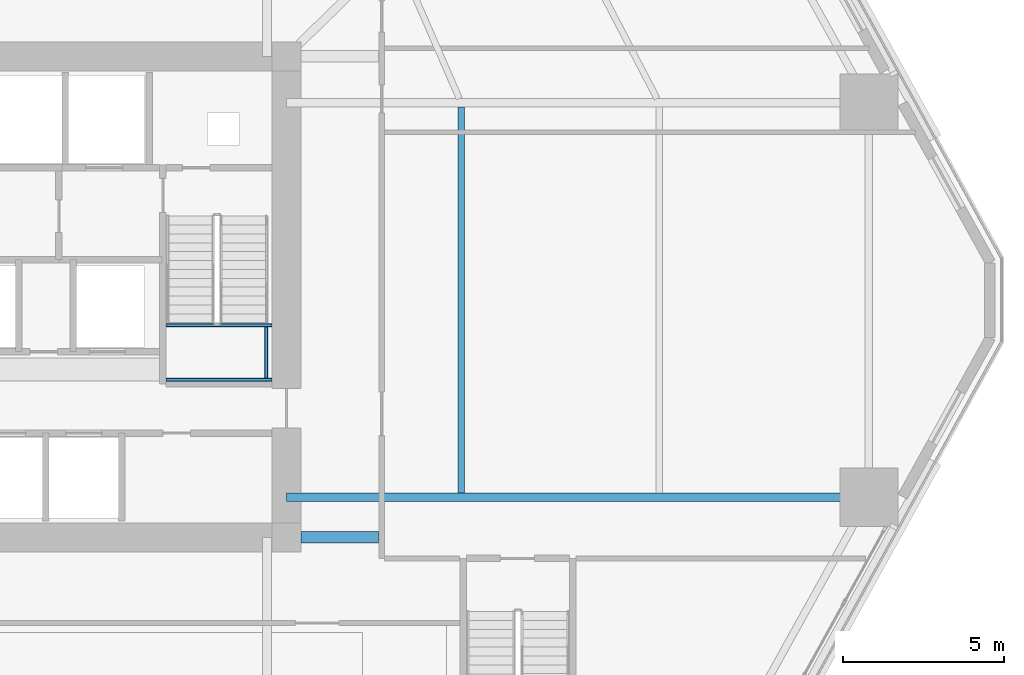
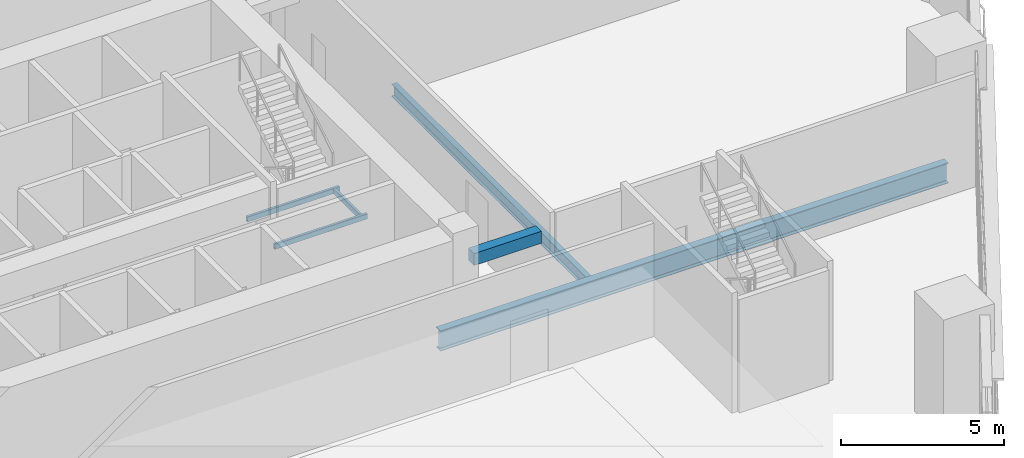
# One storey, part 3 of 21: 6 beams.
"""IFC4 building model written with IfcOpenShell, lengths in metres."""

from ifc_helpers import new_model, si_unit, direction, frame, origin, origin_2d, place, context, subcontext, project, spatial, rectangle, hollow_rectangle, i_section, extrude, material, material_profile, profile_set, type_object, element, save


model = new_model("IFC4")

# Units and contexts
model_context = context("Model", 3, precision=1e-05, world=origin(), true_north=direction((0.0, 1.0)))
body_context = subcontext(model_context, "Body", "Model", "MODEL_VIEW")
ifc_project = project(units=[si_unit("LENGTHUNIT", "METRE"), si_unit("AREAUNIT", "SQUARE_METRE"), si_unit("VOLUMEUNIT", "CUBIC_METRE"), si_unit("PLANEANGLEUNIT", "RADIAN"), si_unit("MASSUNIT", "GRAM", prefix="KILO")], contexts=[model_context])

# Site, building, storey
site_placement = place(None, origin())
site = spatial("IfcSite", under=ifc_project, at=site_placement, CompositionType="ELEMENT")
building_placement = place(site_placement, origin())
building = spatial("IfcBuilding", under=site, at=building_placement, Name="Cinnabar Lancet Tower", CompositionType="ELEMENT")
storey_placement = place(building_placement, frame((0.0, 0.0, 6.0)))
storey = spatial("IfcBuildingStorey", under=building, at=storey_placement, Name="L01", CompositionType="ELEMENT", Elevation=6.0)

# Beams
ifc_material_1 = material(Name="Structural steel S355", Category="steel")
ifc_material_profile_1 = material_profile(ifc_material_1, i_section(OverallWidth=0.1904296875, OverallDepth=0.45703125, WebThickness=0.009033203125, FlangeThickness=0.014404296875, FilletRadius=0.01025390625, at=origin_2d()), Name="UKB 457x191x74")
ifc_profile_set_1 = profile_set([ifc_material_profile_1], Name="Structural steel S355")
beam_type_1 = type_object("IfcBeamType", Name="STR-BM-JST-457", PredefinedType="JOIST", material=ifc_profile_set_1)
beam_1_placement = place(storey_placement, frame((47.261962890625, 19.824951171875, -0.47900390625), z_axis=(0.0, 1.0, 0.0), x_axis=(-1.0, 0.0, 0.0)))
element("IfcBeam", 1, at=beam_1_placement, inside=storey, type_object=beam_type_1, Name="L01 Secondary Floor Joist 2", PredefinedType="JOIST", context=body_context, shape_type="SweptSolid", body=[
    extrude(i_section(OverallWidth=0.1904296875, OverallDepth=0.45703125, WebThickness=0.009033203125, FlangeThickness=0.014404296875, FilletRadius=0.01025390625, at=origin_2d()), origin(), (0.0, 0.0, 1.0), 11.949951171875),
])
ifc_material_2 = material(Name="Structural steel S355", Category="steel")
ifc_material_profile_2 = material_profile(ifc_material_2, hollow_rectangle(XDim=0.10009765625, YDim=0.199951171875, WallThickness=0.008056640625, InnerFilletRadius=0.00390625, OuterFilletRadius=0.011962890625, at=origin_2d()), Name="RHS 200x100x8")
ifc_profile_set_2 = profile_set([ifc_material_profile_2], Name="Structural steel S355")
beam_type_2 = type_object("IfcBeamType", Name="STR-BM-LND-203", PredefinedType="BEAM", material=ifc_profile_set_2)
for number, where, z_axis, x_axis, name in (
    (2, (38.1201171875, 23.330078125, 1.949951171875), (1.0, 0.0, 0.0), (0.0, 1.0, 0.0), "L01 ST-2-L01 Landing Support Beam S"),
    (3, (38.1201171875, 25.02001953125, 1.949951171875), (1.0, 0.0, 0.0), (0.0, 1.0, 0.0), "L01 ST-2-L01 Landing Support Beam N"),
):
    element("IfcBeam", number, at=place(storey_placement, frame(where, z_axis=z_axis, x_axis=x_axis)), inside=storey, type_object=beam_type_2, Name=name, PredefinedType="BEAM", context=body_context, shape_type="SweptSolid", body=[
        extrude(hollow_rectangle(XDim=0.10009765625, YDim=0.199951171875, WallThickness=0.008056640625, InnerFilletRadius=0.00390625, OuterFilletRadius=0.011962890625, at=origin_2d()), origin(), (0.0, 0.0, 1.0), 3.27978515625),
    ])
beam_2_placement = place(storey_placement, frame((41.219970703125, 23.3798828125, 1.949951171875), z_axis=(0.0, 1.0, 0.0), x_axis=(-1.0, 0.0, 0.0)))
element("IfcBeam", 4, at=beam_2_placement, inside=storey, type_object=beam_type_2, Name="L01 ST-2-L01 Landing Side Trimmer Beam", PredefinedType="BEAM", context=body_context, shape_type="SweptSolid", body=[
    extrude(hollow_rectangle(XDim=0.10009765625, YDim=0.199951171875, WallThickness=0.008056640625, InnerFilletRadius=0.00390625, OuterFilletRadius=0.011962890625, at=origin_2d()), origin(), (0.0, 0.0, 1.0), 1.590087890625),
])
ifc_material_3 = material(Name="Concrete C45/55", Category="concrete")
ifc_material_profile_3 = material_profile(ifc_material_3, rectangle(XDim=0.35009765625, YDim=0.449951171875, at=origin_2d()), Name="RC-LNT 350x450")
ifc_profile_set_3 = profile_set([ifc_material_profile_3], Name="Concrete C45/55")
beam_type_3 = type_object("IfcBeamType", Name="STR-BM-LNT-450", PredefinedType="LINTEL", material=ifc_profile_set_3)
beam_3_placement = place(storey_placement, frame((42.300048828125, 18.449951171875, 3.050048828125), z_axis=(1.0, 0.0, 0.0), x_axis=(0.0, 1.0, 0.0)))
element("IfcBeam", 5, at=beam_3_placement, inside=storey, type_object=beam_type_3, Name="L01 Podium Gallery Arch Lintel SE", PredefinedType="LINTEL", context=body_context, shape_type="SweptSolid", body=[
    extrude(rectangle(XDim=0.35009765625, YDim=0.449951171875, at=origin_2d()), origin(), (0.0, 0.0, 1.0), 2.39990234375),
])
ifc_material_4 = material(Name="Structural steel S355", Category="steel")
ifc_material_profile_4 = material_profile(ifc_material_4, i_section(OverallWidth=0.2666015625, OverallDepth=0.76220703125, WebThickness=0.014404296875, FlangeThickness=0.021484375, FilletRadius=0.0166015625, at=origin_2d()), Name="UKB 762x267x173")
ifc_profile_set_4 = profile_set([ifc_material_profile_4], Name="Structural steel S355")
beam_type_4 = type_object("IfcBeamType", Name="STR-BM-UKB762-173", PredefinedType="BEAM", material=ifc_profile_set_4)
beam_4_placement = place(storey_placement, frame((59.89111328125, 19.69189453125, -0.631103515625), z_axis=(-1.0, 0.0, 0.0), x_axis=(0.0, -1.0, 0.0)))
element("IfcBeam", 6, at=beam_4_placement, inside=storey, type_object=beam_type_4, Name="L01 Primary Floor Girder 4", PredefinedType="BEAM", context=body_context, shape_type="SweptSolid", body=[
    extrude(i_section(OverallWidth=0.2666015625, OverallDepth=0.76220703125, WebThickness=0.014404296875, FlangeThickness=0.021484375, FilletRadius=0.0166015625, at=origin_2d()), origin(), (0.0, 0.0, 1.0), 18.041015625),
])

save(model, "model.ifc")
